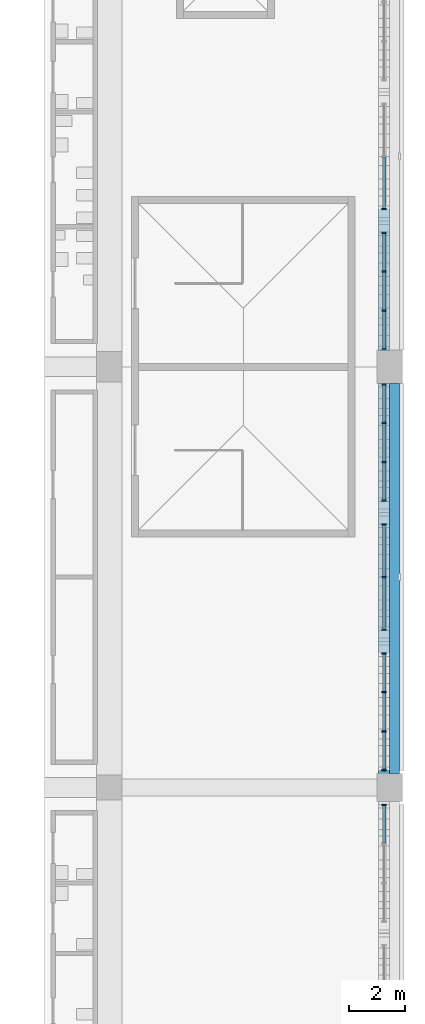
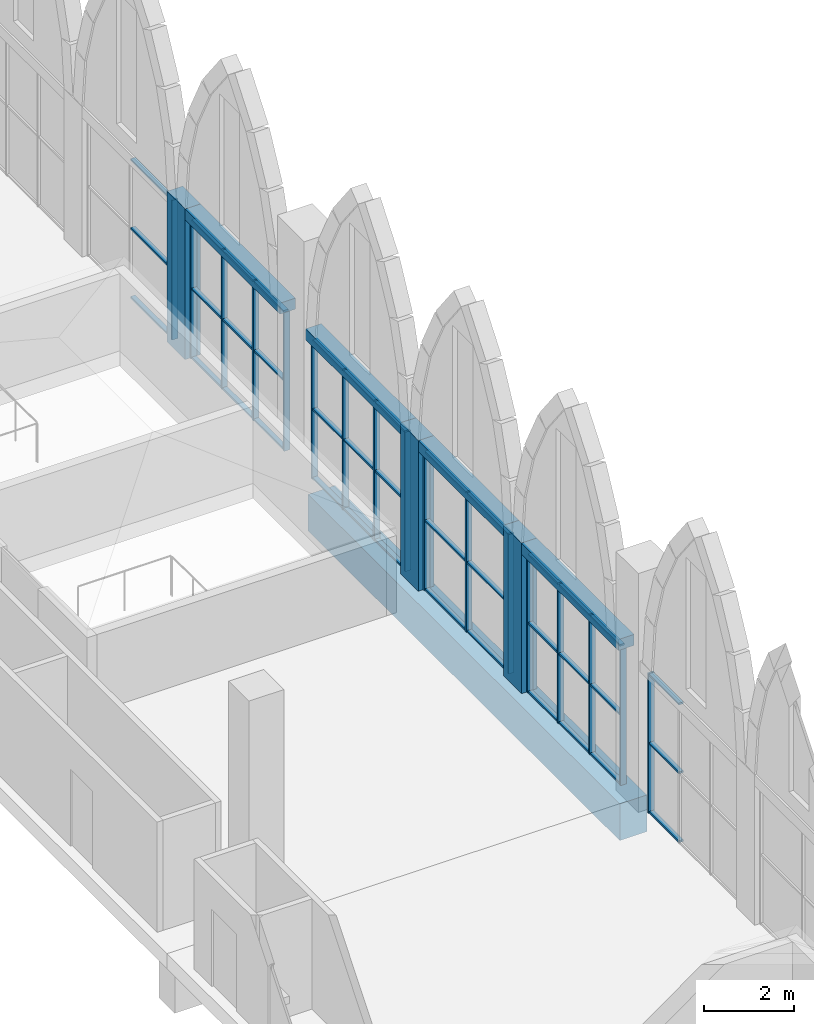
# One storey, part 24 of 130: 59 members, 5 beams, 6 elements without a shape of their own.
"""IFC4 building model written with IfcOpenShell, lengths in metres."""

from ifc_helpers import new_model, si_unit, direction, frame, origin, origin_2d, place, context, subcontext, project, spatial, rectangle, extrude, material, material_profile, profile_set, type_object, element, aggregate, save


model = new_model("IFC4")

# Units and contexts
model_context = context("Model", 3, precision=1e-05, world=origin(), true_north=direction((0.0, 1.0)))
body_context = subcontext(model_context, "Body", "Model", "MODEL_VIEW")
ifc_project = project(units=[si_unit("LENGTHUNIT", "METRE"), si_unit("AREAUNIT", "SQUARE_METRE"), si_unit("VOLUMEUNIT", "CUBIC_METRE"), si_unit("PLANEANGLEUNIT", "RADIAN"), si_unit("MASSUNIT", "GRAM", prefix="KILO")], contexts=[model_context])

# Site, building, storey
site_placement = place(None, origin())
site = spatial("IfcSite", under=ifc_project, at=site_placement, CompositionType="ELEMENT")
building_placement = place(site_placement, origin())
building = spatial("IfcBuilding", under=site, at=building_placement, Name="Ogive Plaza Stadium", CompositionType="ELEMENT")
storey_placement = place(building_placement, frame((0.0, 0.0, 22.5)))
storey = spatial("IfcBuildingStorey", under=building, at=storey_placement, Name="L05", CompositionType="ELEMENT", Elevation=22.5)

# Curtain wall, member
ifc_material_1 = material(Name="Bronze-anodised aluminium with laminated glass", Category="aluminium")
curtain_wall_type = type_object("IfcCurtainWallType", Name="Lancet curtain wall", PredefinedType="NOTDEFINED", material=ifc_material_1)
curtain_wall_1_placement = place(storey_placement, origin())
curtain_wall_1 = element("IfcCurtainWall", 1, at=curtain_wall_1_placement, inside=storey, type_object=curtain_wall_type, Name="CURTAIN WALL B05 L05", PredefinedType="NOTDEFINED")
ifc_material_2 = material(Name="Bronze-anodised aluminium", Category="aluminium")
ifc_material_profile_1 = material_profile(ifc_material_2, rectangle(XDim=0.14990234375, YDim=0.050048828125, at=origin_2d()), Name="AL 150x50")
ifc_profile_set_1 = profile_set([ifc_material_profile_1], Name="Bronze-anodised aluminium")
member_type_1 = type_object("IfcMemberType", Name="Curtain wall mullion 50x150", PredefinedType="MULLION", material=ifc_profile_set_1)
member_1_placement = place(storey_placement, frame((83.800048828125, -16.875, 0.0), z_axis=(0.0, 0.0, 1.0), x_axis=(1.0, 0.0, 0.0)))
member_1 = element("IfcMember", 2, at=member_1_placement, type_object=member_type_1, Name="CW-B05-L05.2 mullion 3", PredefinedType="MULLION", context=body_context, shape_type="SweptSolid", body=[
    extrude(rectangle(XDim=0.14990234375, YDim=0.050048828125, at=origin_2d()), origin(), (0.0, 0.0, 1.0), 3.800048828125),
])

# Curtain wall, members
curtain_wall_2_placement = place(storey_placement, origin())
curtain_wall_2 = element("IfcCurtainWall", 3, at=curtain_wall_2_placement, inside=storey, type_object=curtain_wall_type, Name="CURTAIN WALL B05 L05", PredefinedType="NOTDEFINED")
member_2_placement = place(storey_placement, frame((83.800048828125, -17.72509765625, 0.0), z_axis=(0.0, 0.0, 1.0), x_axis=(1.0, 0.0, 0.0)))
member_2 = element("IfcMember", 4, at=member_2_placement, type_object=member_type_1, Name="CW-B05-L05.3 mullion 1", PredefinedType="MULLION", context=body_context, shape_type="SweptSolid", body=[
    extrude(rectangle(XDim=0.14990234375, YDim=0.050048828125, at=origin_2d()), origin(), (0.0, 0.0, 1.0), 3.800048828125),
])
member_3_placement = place(storey_placement, frame((83.800048828125, -19.10009765625, 0.0), z_axis=(0.0, 0.0, 1.0), x_axis=(1.0, 0.0, 0.0)))
member_3 = element("IfcMember", 5, at=member_3_placement, type_object=member_type_1, Name="CW-B05-L05.3 mullion 2", PredefinedType="MULLION", context=body_context, shape_type="SweptSolid", body=[
    extrude(rectangle(XDim=0.14990234375, YDim=0.050048828125, at=origin_2d()), origin(), (0.0, 0.0, 1.0), 3.800048828125),
])
member_4_placement = place(storey_placement, frame((83.800048828125, -20.5, 0.0), z_axis=(0.0, 0.0, 1.0), x_axis=(1.0, 0.0, 0.0)))
member_4 = element("IfcMember", 6, at=member_4_placement, type_object=member_type_1, Name="CW-B05-L05.3 mullion 3", PredefinedType="MULLION", context=body_context, shape_type="SweptSolid", body=[
    extrude(rectangle(XDim=0.14990234375, YDim=0.050048828125, at=origin_2d()), origin(), (0.0, 0.0, 1.0), 3.800048828125),
])
member_5_placement = place(storey_placement, frame((83.800048828125, -21.875, 0.0), z_axis=(0.0, 0.0, 1.0), x_axis=(1.0, 0.0, 0.0)))
member_5 = element("IfcMember", 7, at=member_5_placement, type_object=member_type_1, Name="CW-B05-L05.3 mullion 4", PredefinedType="MULLION", context=body_context, shape_type="SweptSolid", body=[
    extrude(rectangle(XDim=0.14990234375, YDim=0.050048828125, at=origin_2d()), origin(), (0.0, 0.0, 1.0), 3.800048828125),
])

curtain_wall_3_placement = place(storey_placement, origin())
curtain_wall_3 = element("IfcCurtainWall", 8, at=curtain_wall_3_placement, inside=storey, type_object=curtain_wall_type, Name="CURTAIN WALL B06 L05", PredefinedType="NOTDEFINED")
member_6_placement = place(storey_placement, frame((83.800048828125, -23.125, 0.0), z_axis=(0.0, 0.0, 1.0), x_axis=(1.0, 0.0, 0.0)))
member_6 = element("IfcMember", 9, at=member_6_placement, type_object=member_type_1, Name="CW-B06-L05.1 mullion 1", PredefinedType="MULLION", context=body_context, shape_type="SweptSolid", body=[
    extrude(rectangle(XDim=0.14990234375, YDim=0.050048828125, at=origin_2d()), origin(), (0.0, 0.0, 1.0), 3.800048828125),
])
member_7_placement = place(storey_placement, frame((83.800048828125, -24.5, 0.0), z_axis=(0.0, 0.0, 1.0), x_axis=(1.0, 0.0, 0.0)))
member_7 = element("IfcMember", 10, at=member_7_placement, type_object=member_type_1, Name="CW-B06-L05.1 mullion 2", PredefinedType="MULLION", context=body_context, shape_type="SweptSolid", body=[
    extrude(rectangle(XDim=0.14990234375, YDim=0.050048828125, at=origin_2d()), origin(), (0.0, 0.0, 1.0), 3.800048828125),
])
member_8_placement = place(storey_placement, frame((83.800048828125, -25.89990234375, 0.0), z_axis=(0.0, 0.0, 1.0), x_axis=(1.0, 0.0, 0.0)))
member_8 = element("IfcMember", 11, at=member_8_placement, type_object=member_type_1, Name="CW-B06-L05.1 mullion 3", PredefinedType="MULLION", context=body_context, shape_type="SweptSolid", body=[
    extrude(rectangle(XDim=0.14990234375, YDim=0.050048828125, at=origin_2d()), origin(), (0.0, 0.0, 1.0), 3.800048828125),
])
member_9_placement = place(storey_placement, frame((83.800048828125, -27.27490234375, 0.0), z_axis=(0.0, 0.0, 1.0), x_axis=(1.0, 0.0, 0.0)))
member_9 = element("IfcMember", 12, at=member_9_placement, type_object=member_type_1, Name="CW-B06-L05.1 mullion 4", PredefinedType="MULLION", context=body_context, shape_type="SweptSolid", body=[
    extrude(rectangle(XDim=0.14990234375, YDim=0.050048828125, at=origin_2d()), origin(), (0.0, 0.0, 1.0), 3.800048828125),
])

curtain_wall_4_placement = place(storey_placement, origin())
curtain_wall_4 = element("IfcCurtainWall", 13, at=curtain_wall_4_placement, inside=storey, type_object=curtain_wall_type, Name="CURTAIN WALL B06 L05", PredefinedType="NOTDEFINED")
member_10_placement = place(storey_placement, frame((83.800048828125, -28.125, 0.0), z_axis=(0.0, 0.0, 1.0), x_axis=(1.0, 0.0, 0.0)))
member_10 = element("IfcMember", 14, at=member_10_placement, type_object=member_type_1, Name="CW-B06-L05.2 mullion 1", PredefinedType="MULLION", context=body_context, shape_type="SweptSolid", body=[
    extrude(rectangle(XDim=0.14990234375, YDim=0.050048828125, at=origin_2d()), origin(), (0.0, 0.0, 1.0), 3.800048828125),
])
member_11_placement = place(storey_placement, frame((83.800048828125, -30.0, 0.0), z_axis=(0.0, 0.0, 1.0), x_axis=(1.0, 0.0, 0.0)))
member_11 = element("IfcMember", 15, at=member_11_placement, type_object=member_type_1, Name="CW-B06-L05.2 mullion 2", PredefinedType="MULLION", context=body_context, shape_type="SweptSolid", body=[
    extrude(rectangle(XDim=0.14990234375, YDim=0.050048828125, at=origin_2d()), origin(), (0.0, 0.0, 1.0), 3.800048828125),
])
member_12_placement = place(storey_placement, frame((83.800048828125, -31.875, 0.0), z_axis=(0.0, 0.0, 1.0), x_axis=(1.0, 0.0, 0.0)))
member_12 = element("IfcMember", 16, at=member_12_placement, type_object=member_type_1, Name="CW-B06-L05.2 mullion 3", PredefinedType="MULLION", context=body_context, shape_type="SweptSolid", body=[
    extrude(rectangle(XDim=0.14990234375, YDim=0.050048828125, at=origin_2d()), origin(), (0.0, 0.0, 1.0), 3.800048828125),
])

curtain_wall_5_placement = place(storey_placement, origin())
curtain_wall_5 = element("IfcCurtainWall", 17, at=curtain_wall_5_placement, inside=storey, type_object=curtain_wall_type, Name="CURTAIN WALL B06 L05", PredefinedType="NOTDEFINED")
member_13_placement = place(storey_placement, frame((83.800048828125, -32.72509765625, 0.0), z_axis=(0.0, 0.0, 1.0), x_axis=(1.0, 0.0, 0.0)))
member_13 = element("IfcMember", 18, at=member_13_placement, type_object=member_type_1, Name="CW-B06-L05.3 mullion 1", PredefinedType="MULLION", context=body_context, shape_type="SweptSolid", body=[
    extrude(rectangle(XDim=0.14990234375, YDim=0.050048828125, at=origin_2d()), origin(), (0.0, 0.0, 1.0), 3.800048828125),
])
member_14_placement = place(storey_placement, frame((83.800048828125, -34.10009765625, 0.0), z_axis=(0.0, 0.0, 1.0), x_axis=(1.0, 0.0, 0.0)))
member_14 = element("IfcMember", 19, at=member_14_placement, type_object=member_type_1, Name="CW-B06-L05.3 mullion 2", PredefinedType="MULLION", context=body_context, shape_type="SweptSolid", body=[
    extrude(rectangle(XDim=0.14990234375, YDim=0.050048828125, at=origin_2d()), origin(), (0.0, 0.0, 1.0), 3.800048828125),
])
member_15_placement = place(storey_placement, frame((83.800048828125, -35.5, 0.0), z_axis=(0.0, 0.0, 1.0), x_axis=(1.0, 0.0, 0.0)))
member_15 = element("IfcMember", 20, at=member_15_placement, type_object=member_type_1, Name="CW-B06-L05.3 mullion 3", PredefinedType="MULLION", context=body_context, shape_type="SweptSolid", body=[
    extrude(rectangle(XDim=0.14990234375, YDim=0.050048828125, at=origin_2d()), origin(), (0.0, 0.0, 1.0), 3.800048828125),
])
member_16_placement = place(storey_placement, frame((83.800048828125, -36.875, 0.0), z_axis=(0.0, 0.0, 1.0), x_axis=(1.0, 0.0, 0.0)))
member_16 = element("IfcMember", 21, at=member_16_placement, type_object=member_type_1, Name="CW-B06-L05.3 mullion 4", PredefinedType="MULLION", context=body_context, shape_type="SweptSolid", body=[
    extrude(rectangle(XDim=0.14990234375, YDim=0.050048828125, at=origin_2d()), origin(), (0.0, 0.0, 1.0), 3.800048828125),
])

# Curtain wall, member
curtain_wall_6_placement = place(storey_placement, origin())
curtain_wall_6 = element("IfcCurtainWall", 22, at=curtain_wall_6_placement, inside=storey, type_object=curtain_wall_type, Name="CURTAIN WALL B07 L05", PredefinedType="NOTDEFINED")
member_17_placement = place(storey_placement, frame((83.800048828125, -38.125, 0.0), z_axis=(0.0, 0.0, 1.0), x_axis=(1.0, 0.0, 0.0)))
member_17 = element("IfcMember", 23, at=member_17_placement, type_object=member_type_1, Name="CW-B07-L05.1 mullion 1", PredefinedType="MULLION", context=body_context, shape_type="SweptSolid", body=[
    extrude(rectangle(XDim=0.14990234375, YDim=0.050048828125, at=origin_2d()), origin(), (0.0, 0.0, 1.0), 3.800048828125),
])

# Member
ifc_material_3 = material(Name="Bronze-anodised aluminium", Category="aluminium")
ifc_material_profile_2 = material_profile(ifc_material_3, rectangle(XDim=0.1201171875, YDim=0.050048828125, at=origin_2d()), Name="AL 120x50")
ifc_profile_set_2 = profile_set([ifc_material_profile_2], Name="Bronze-anodised aluminium")
member_type_2 = type_object("IfcMemberType", Name="Curtain wall transom 50x120", PredefinedType="USERDEFINED", material=ifc_profile_set_2)
member_18_placement = place(storey_placement, frame((83.800048828125, -15.02490234375, 0.02490234375), z_axis=(0.0, -1.0, 0.0), x_axis=(1.0, 0.0, 0.0)))
member_18 = element("IfcMember", 24, at=member_18_placement, type_object=member_type_2, Name="CW-B05-L05.2 transom 2.1", ObjectType="TRANSOM", PredefinedType="USERDEFINED", context=body_context, shape_type="SweptSolid", body=[
    extrude(rectangle(XDim=0.1201171875, YDim=0.050048828125, at=origin_2d()), origin(), (0.0, 0.0, 1.0), 1.8251953125),
])

member_19_placement = place(storey_placement, frame((83.800048828125, -15.02490234375, 1.89990234375), z_axis=(0.0, -1.0, 0.0), x_axis=(1.0, 0.0, 0.0)))
member_19 = element("IfcMember", 25, at=member_19_placement, type_object=member_type_2, Name="CW-B05-L05.2 transom 2.2", ObjectType="TRANSOM", PredefinedType="USERDEFINED", context=body_context, shape_type="SweptSolid", body=[
    extrude(rectangle(XDim=0.1201171875, YDim=0.050048828125, at=origin_2d()), origin(), (0.0, 0.0, 1.0), 1.8251953125),
])

member_20_placement = place(storey_placement, frame((83.800048828125, -15.02490234375, 3.77490234375), z_axis=(0.0, -1.0, 0.0), x_axis=(1.0, 0.0, 0.0)))
member_20 = element("IfcMember", 26, at=member_20_placement, type_object=member_type_2, Name="CW-B05-L05.2 transom 2.3", ObjectType="TRANSOM", PredefinedType="USERDEFINED", context=body_context, shape_type="SweptSolid", body=[
    extrude(rectangle(XDim=0.1201171875, YDim=0.050048828125, at=origin_2d()), origin(), (0.0, 0.0, 1.0), 1.8251953125),
])

aggregate(curtain_wall_1, [member_1, member_18, member_19, member_20])

member_21_placement = place(storey_placement, frame((83.800048828125, -17.75, 0.02490234375), z_axis=(0.0, -1.0, 0.0), x_axis=(1.0, 0.0, 0.0)))
member_21 = element("IfcMember", 27, at=member_21_placement, type_object=member_type_2, Name="CW-B05-L05.3 transom 1.1", ObjectType="TRANSOM", PredefinedType="USERDEFINED", context=body_context, shape_type="SweptSolid", body=[
    extrude(rectangle(XDim=0.1201171875, YDim=0.050048828125, at=origin_2d()), origin(), (0.0, 0.0, 1.0), 1.324951171875),
])

member_22_placement = place(storey_placement, frame((83.800048828125, -17.75, 1.89990234375), z_axis=(0.0, -1.0, 0.0), x_axis=(1.0, 0.0, 0.0)))
member_22 = element("IfcMember", 28, at=member_22_placement, type_object=member_type_2, Name="CW-B05-L05.3 transom 1.2", ObjectType="TRANSOM", PredefinedType="USERDEFINED", context=body_context, shape_type="SweptSolid", body=[
    extrude(rectangle(XDim=0.1201171875, YDim=0.050048828125, at=origin_2d()), origin(), (0.0, 0.0, 1.0), 1.324951171875),
])

member_23_placement = place(storey_placement, frame((83.800048828125, -17.75, 3.77490234375), z_axis=(0.0, -1.0, 0.0), x_axis=(1.0, 0.0, 0.0)))
member_23 = element("IfcMember", 29, at=member_23_placement, type_object=member_type_2, Name="CW-B05-L05.3 transom 1.3", ObjectType="TRANSOM", PredefinedType="USERDEFINED", context=body_context, shape_type="SweptSolid", body=[
    extrude(rectangle(XDim=0.1201171875, YDim=0.050048828125, at=origin_2d()), origin(), (0.0, 0.0, 1.0), 1.324951171875),
])

member_24_placement = place(storey_placement, frame((83.800048828125, -19.125, 0.02490234375), z_axis=(0.0, -1.0, 0.0), x_axis=(1.0, 0.0, 0.0)))
member_24 = element("IfcMember", 30, at=member_24_placement, type_object=member_type_2, Name="CW-B05-L05.3 transom 2.1", ObjectType="TRANSOM", PredefinedType="USERDEFINED", context=body_context, shape_type="SweptSolid", body=[
    extrude(rectangle(XDim=0.1201171875, YDim=0.050048828125, at=origin_2d()), origin(), (0.0, 0.0, 1.0), 1.35009765625),
])

member_25_placement = place(storey_placement, frame((83.800048828125, -19.125, 1.89990234375), z_axis=(0.0, -1.0, 0.0), x_axis=(1.0, 0.0, 0.0)))
member_25 = element("IfcMember", 31, at=member_25_placement, type_object=member_type_2, Name="CW-B05-L05.3 transom 2.2", ObjectType="TRANSOM", PredefinedType="USERDEFINED", context=body_context, shape_type="SweptSolid", body=[
    extrude(rectangle(XDim=0.1201171875, YDim=0.050048828125, at=origin_2d()), origin(), (0.0, 0.0, 1.0), 1.35009765625),
])

member_26_placement = place(storey_placement, frame((83.800048828125, -19.125, 3.77490234375), z_axis=(0.0, -1.0, 0.0), x_axis=(1.0, 0.0, 0.0)))
member_26 = element("IfcMember", 32, at=member_26_placement, type_object=member_type_2, Name="CW-B05-L05.3 transom 2.3", ObjectType="TRANSOM", PredefinedType="USERDEFINED", context=body_context, shape_type="SweptSolid", body=[
    extrude(rectangle(XDim=0.1201171875, YDim=0.050048828125, at=origin_2d()), origin(), (0.0, 0.0, 1.0), 1.35009765625),
])

member_27_placement = place(storey_placement, frame((83.800048828125, -20.52490234375, 0.02490234375), z_axis=(0.0, -1.0, 0.0), x_axis=(1.0, 0.0, 0.0)))
member_27 = element("IfcMember", 33, at=member_27_placement, type_object=member_type_2, Name="CW-B05-L05.3 transom 3.1", ObjectType="TRANSOM", PredefinedType="USERDEFINED", context=body_context, shape_type="SweptSolid", body=[
    extrude(rectangle(XDim=0.1201171875, YDim=0.050048828125, at=origin_2d()), origin(), (0.0, 0.0, 1.0), 1.3251953125),
])

member_28_placement = place(storey_placement, frame((83.800048828125, -20.52490234375, 1.89990234375), z_axis=(0.0, -1.0, 0.0), x_axis=(1.0, 0.0, 0.0)))
member_28 = element("IfcMember", 34, at=member_28_placement, type_object=member_type_2, Name="CW-B05-L05.3 transom 3.2", ObjectType="TRANSOM", PredefinedType="USERDEFINED", context=body_context, shape_type="SweptSolid", body=[
    extrude(rectangle(XDim=0.1201171875, YDim=0.050048828125, at=origin_2d()), origin(), (0.0, 0.0, 1.0), 1.3251953125),
])

member_29_placement = place(storey_placement, frame((83.800048828125, -20.52490234375, 3.77490234375), z_axis=(0.0, -1.0, 0.0), x_axis=(1.0, 0.0, 0.0)))
member_29 = element("IfcMember", 35, at=member_29_placement, type_object=member_type_2, Name="CW-B05-L05.3 transom 3.3", ObjectType="TRANSOM", PredefinedType="USERDEFINED", context=body_context, shape_type="SweptSolid", body=[
    extrude(rectangle(XDim=0.1201171875, YDim=0.050048828125, at=origin_2d()), origin(), (0.0, 0.0, 1.0), 1.3251953125),
])

aggregate(curtain_wall_2, [member_2, member_3, member_4, member_5, member_21, member_22, member_23, member_24, member_25, member_26, member_27, member_28, member_29])

member_30_placement = place(storey_placement, frame((83.800048828125, -23.14990234375, 0.02490234375), z_axis=(0.0, -1.0, 0.0), x_axis=(1.0, 0.0, 0.0)))
member_30 = element("IfcMember", 36, at=member_30_placement, type_object=member_type_2, Name="CW-B06-L05.1 transom 1.1", ObjectType="TRANSOM", PredefinedType="USERDEFINED", context=body_context, shape_type="SweptSolid", body=[
    extrude(rectangle(XDim=0.1201171875, YDim=0.050048828125, at=origin_2d()), origin(), (0.0, 0.0, 1.0), 1.3251953125),
])

member_31_placement = place(storey_placement, frame((83.800048828125, -23.14990234375, 1.89990234375), z_axis=(0.0, -1.0, 0.0), x_axis=(1.0, 0.0, 0.0)))
member_31 = element("IfcMember", 37, at=member_31_placement, type_object=member_type_2, Name="CW-B06-L05.1 transom 1.2", ObjectType="TRANSOM", PredefinedType="USERDEFINED", context=body_context, shape_type="SweptSolid", body=[
    extrude(rectangle(XDim=0.1201171875, YDim=0.050048828125, at=origin_2d()), origin(), (0.0, 0.0, 1.0), 1.3251953125),
])

member_32_placement = place(storey_placement, frame((83.800048828125, -23.14990234375, 3.77490234375), z_axis=(0.0, -1.0, 0.0), x_axis=(1.0, 0.0, 0.0)))
member_32 = element("IfcMember", 38, at=member_32_placement, type_object=member_type_2, Name="CW-B06-L05.1 transom 1.3", ObjectType="TRANSOM", PredefinedType="USERDEFINED", context=body_context, shape_type="SweptSolid", body=[
    extrude(rectangle(XDim=0.1201171875, YDim=0.050048828125, at=origin_2d()), origin(), (0.0, 0.0, 1.0), 1.3251953125),
])

member_33_placement = place(storey_placement, frame((83.800048828125, -24.52490234375, 0.02490234375), z_axis=(0.0, -1.0, 0.0), x_axis=(1.0, 0.0, 0.0)))
member_33 = element("IfcMember", 39, at=member_33_placement, type_object=member_type_2, Name="CW-B06-L05.1 transom 2.1", ObjectType="TRANSOM", PredefinedType="USERDEFINED", context=body_context, shape_type="SweptSolid", body=[
    extrude(rectangle(XDim=0.1201171875, YDim=0.050048828125, at=origin_2d()), origin(), (0.0, 0.0, 1.0), 1.35009765625),
])

member_34_placement = place(storey_placement, frame((83.800048828125, -24.52490234375, 1.89990234375), z_axis=(0.0, -1.0, 0.0), x_axis=(1.0, 0.0, 0.0)))
member_34 = element("IfcMember", 40, at=member_34_placement, type_object=member_type_2, Name="CW-B06-L05.1 transom 2.2", ObjectType="TRANSOM", PredefinedType="USERDEFINED", context=body_context, shape_type="SweptSolid", body=[
    extrude(rectangle(XDim=0.1201171875, YDim=0.050048828125, at=origin_2d()), origin(), (0.0, 0.0, 1.0), 1.35009765625),
])

member_35_placement = place(storey_placement, frame((83.800048828125, -24.52490234375, 3.77490234375), z_axis=(0.0, -1.0, 0.0), x_axis=(1.0, 0.0, 0.0)))
member_35 = element("IfcMember", 41, at=member_35_placement, type_object=member_type_2, Name="CW-B06-L05.1 transom 2.3", ObjectType="TRANSOM", PredefinedType="USERDEFINED", context=body_context, shape_type="SweptSolid", body=[
    extrude(rectangle(XDim=0.1201171875, YDim=0.050048828125, at=origin_2d()), origin(), (0.0, 0.0, 1.0), 1.35009765625),
])

member_36_placement = place(storey_placement, frame((83.800048828125, -25.925048828125, 0.02490234375), z_axis=(0.0, -1.0, 0.0), x_axis=(1.0, 0.0, 0.0)))
member_36 = element("IfcMember", 42, at=member_36_placement, type_object=member_type_2, Name="CW-B06-L05.1 transom 3.1", ObjectType="TRANSOM", PredefinedType="USERDEFINED", context=body_context, shape_type="SweptSolid", body=[
    extrude(rectangle(XDim=0.1201171875, YDim=0.050048828125, at=origin_2d()), origin(), (0.0, 0.0, 1.0), 1.324951171875),
])

member_37_placement = place(storey_placement, frame((83.800048828125, -25.925048828125, 1.89990234375), z_axis=(0.0, -1.0, 0.0), x_axis=(1.0, 0.0, 0.0)))
member_37 = element("IfcMember", 43, at=member_37_placement, type_object=member_type_2, Name="CW-B06-L05.1 transom 3.2", ObjectType="TRANSOM", PredefinedType="USERDEFINED", context=body_context, shape_type="SweptSolid", body=[
    extrude(rectangle(XDim=0.1201171875, YDim=0.050048828125, at=origin_2d()), origin(), (0.0, 0.0, 1.0), 1.324951171875),
])

member_38_placement = place(storey_placement, frame((83.800048828125, -25.925048828125, 3.77490234375), z_axis=(0.0, -1.0, 0.0), x_axis=(1.0, 0.0, 0.0)))
member_38 = element("IfcMember", 44, at=member_38_placement, type_object=member_type_2, Name="CW-B06-L05.1 transom 3.3", ObjectType="TRANSOM", PredefinedType="USERDEFINED", context=body_context, shape_type="SweptSolid", body=[
    extrude(rectangle(XDim=0.1201171875, YDim=0.050048828125, at=origin_2d()), origin(), (0.0, 0.0, 1.0), 1.324951171875),
])

aggregate(curtain_wall_3, [member_6, member_7, member_8, member_9, member_30, member_31, member_32, member_33, member_34, member_35, member_36, member_37, member_38])

member_39_placement = place(storey_placement, frame((83.800048828125, -28.14990234375, 0.02490234375), z_axis=(0.0, -1.0, 0.0), x_axis=(1.0, 0.0, 0.0)))
member_39 = element("IfcMember", 45, at=member_39_placement, type_object=member_type_2, Name="CW-B06-L05.2 transom 1.1", ObjectType="TRANSOM", PredefinedType="USERDEFINED", context=body_context, shape_type="SweptSolid", body=[
    extrude(rectangle(XDim=0.1201171875, YDim=0.050048828125, at=origin_2d()), origin(), (0.0, 0.0, 1.0), 1.8251953125),
])

member_40_placement = place(storey_placement, frame((83.800048828125, -28.14990234375, 1.89990234375), z_axis=(0.0, -1.0, 0.0), x_axis=(1.0, 0.0, 0.0)))
member_40 = element("IfcMember", 46, at=member_40_placement, type_object=member_type_2, Name="CW-B06-L05.2 transom 1.2", ObjectType="TRANSOM", PredefinedType="USERDEFINED", context=body_context, shape_type="SweptSolid", body=[
    extrude(rectangle(XDim=0.1201171875, YDim=0.050048828125, at=origin_2d()), origin(), (0.0, 0.0, 1.0), 1.8251953125),
])

member_41_placement = place(storey_placement, frame((83.800048828125, -28.14990234375, 3.77490234375), z_axis=(0.0, -1.0, 0.0), x_axis=(1.0, 0.0, 0.0)))
member_41 = element("IfcMember", 47, at=member_41_placement, type_object=member_type_2, Name="CW-B06-L05.2 transom 1.3", ObjectType="TRANSOM", PredefinedType="USERDEFINED", context=body_context, shape_type="SweptSolid", body=[
    extrude(rectangle(XDim=0.1201171875, YDim=0.050048828125, at=origin_2d()), origin(), (0.0, 0.0, 1.0), 1.8251953125),
])

member_42_placement = place(storey_placement, frame((83.800048828125, -30.02490234375, 0.02490234375), z_axis=(0.0, -1.0, 0.0), x_axis=(1.0, 0.0, 0.0)))
member_42 = element("IfcMember", 48, at=member_42_placement, type_object=member_type_2, Name="CW-B06-L05.2 transom 2.1", ObjectType="TRANSOM", PredefinedType="USERDEFINED", context=body_context, shape_type="SweptSolid", body=[
    extrude(rectangle(XDim=0.1201171875, YDim=0.050048828125, at=origin_2d()), origin(), (0.0, 0.0, 1.0), 1.8251953125),
])

member_43_placement = place(storey_placement, frame((83.800048828125, -30.02490234375, 1.89990234375), z_axis=(0.0, -1.0, 0.0), x_axis=(1.0, 0.0, 0.0)))
member_43 = element("IfcMember", 49, at=member_43_placement, type_object=member_type_2, Name="CW-B06-L05.2 transom 2.2", ObjectType="TRANSOM", PredefinedType="USERDEFINED", context=body_context, shape_type="SweptSolid", body=[
    extrude(rectangle(XDim=0.1201171875, YDim=0.050048828125, at=origin_2d()), origin(), (0.0, 0.0, 1.0), 1.8251953125),
])

member_44_placement = place(storey_placement, frame((83.800048828125, -30.02490234375, 3.77490234375), z_axis=(0.0, -1.0, 0.0), x_axis=(1.0, 0.0, 0.0)))
member_44 = element("IfcMember", 50, at=member_44_placement, type_object=member_type_2, Name="CW-B06-L05.2 transom 2.3", ObjectType="TRANSOM", PredefinedType="USERDEFINED", context=body_context, shape_type="SweptSolid", body=[
    extrude(rectangle(XDim=0.1201171875, YDim=0.050048828125, at=origin_2d()), origin(), (0.0, 0.0, 1.0), 1.8251953125),
])

aggregate(curtain_wall_4, [member_10, member_11, member_12, member_39, member_40, member_41, member_42, member_43, member_44])

member_45_placement = place(storey_placement, frame((83.800048828125, -32.75, 0.02490234375), z_axis=(0.0, -1.0, 0.0), x_axis=(1.0, 0.0, 0.0)))
member_45 = element("IfcMember", 51, at=member_45_placement, type_object=member_type_2, Name="CW-B06-L05.3 transom 1.1", ObjectType="TRANSOM", PredefinedType="USERDEFINED", context=body_context, shape_type="SweptSolid", body=[
    extrude(rectangle(XDim=0.1201171875, YDim=0.050048828125, at=origin_2d()), origin(), (0.0, 0.0, 1.0), 1.324951171875),
])

member_46_placement = place(storey_placement, frame((83.800048828125, -32.75, 1.89990234375), z_axis=(0.0, -1.0, 0.0), x_axis=(1.0, 0.0, 0.0)))
member_46 = element("IfcMember", 52, at=member_46_placement, type_object=member_type_2, Name="CW-B06-L05.3 transom 1.2", ObjectType="TRANSOM", PredefinedType="USERDEFINED", context=body_context, shape_type="SweptSolid", body=[
    extrude(rectangle(XDim=0.1201171875, YDim=0.050048828125, at=origin_2d()), origin(), (0.0, 0.0, 1.0), 1.324951171875),
])

member_47_placement = place(storey_placement, frame((83.800048828125, -32.75, 3.77490234375), z_axis=(0.0, -1.0, 0.0), x_axis=(1.0, 0.0, 0.0)))
member_47 = element("IfcMember", 53, at=member_47_placement, type_object=member_type_2, Name="CW-B06-L05.3 transom 1.3", ObjectType="TRANSOM", PredefinedType="USERDEFINED", context=body_context, shape_type="SweptSolid", body=[
    extrude(rectangle(XDim=0.1201171875, YDim=0.050048828125, at=origin_2d()), origin(), (0.0, 0.0, 1.0), 1.324951171875),
])

member_48_placement = place(storey_placement, frame((83.800048828125, -34.125, 0.02490234375), z_axis=(0.0, -1.0, 0.0), x_axis=(1.0, 0.0, 0.0)))
member_48 = element("IfcMember", 54, at=member_48_placement, type_object=member_type_2, Name="CW-B06-L05.3 transom 2.1", ObjectType="TRANSOM", PredefinedType="USERDEFINED", context=body_context, shape_type="SweptSolid", body=[
    extrude(rectangle(XDim=0.1201171875, YDim=0.050048828125, at=origin_2d()), origin(), (0.0, 0.0, 1.0), 1.35009765625),
])

member_49_placement = place(storey_placement, frame((83.800048828125, -34.125, 1.89990234375), z_axis=(0.0, -1.0, 0.0), x_axis=(1.0, 0.0, 0.0)))
member_49 = element("IfcMember", 55, at=member_49_placement, type_object=member_type_2, Name="CW-B06-L05.3 transom 2.2", ObjectType="TRANSOM", PredefinedType="USERDEFINED", context=body_context, shape_type="SweptSolid", body=[
    extrude(rectangle(XDim=0.1201171875, YDim=0.050048828125, at=origin_2d()), origin(), (0.0, 0.0, 1.0), 1.35009765625),
])

member_50_placement = place(storey_placement, frame((83.800048828125, -34.125, 3.77490234375), z_axis=(0.0, -1.0, 0.0), x_axis=(1.0, 0.0, 0.0)))
member_50 = element("IfcMember", 56, at=member_50_placement, type_object=member_type_2, Name="CW-B06-L05.3 transom 2.3", ObjectType="TRANSOM", PredefinedType="USERDEFINED", context=body_context, shape_type="SweptSolid", body=[
    extrude(rectangle(XDim=0.1201171875, YDim=0.050048828125, at=origin_2d()), origin(), (0.0, 0.0, 1.0), 1.35009765625),
])

member_51_placement = place(storey_placement, frame((83.800048828125, -35.52490234375, 0.02490234375), z_axis=(0.0, -1.0, 0.0), x_axis=(1.0, 0.0, 0.0)))
member_51 = element("IfcMember", 57, at=member_51_placement, type_object=member_type_2, Name="CW-B06-L05.3 transom 3.1", ObjectType="TRANSOM", PredefinedType="USERDEFINED", context=body_context, shape_type="SweptSolid", body=[
    extrude(rectangle(XDim=0.1201171875, YDim=0.050048828125, at=origin_2d()), origin(), (0.0, 0.0, 1.0), 1.3251953125),
])

member_52_placement = place(storey_placement, frame((83.800048828125, -35.52490234375, 1.89990234375), z_axis=(0.0, -1.0, 0.0), x_axis=(1.0, 0.0, 0.0)))
member_52 = element("IfcMember", 58, at=member_52_placement, type_object=member_type_2, Name="CW-B06-L05.3 transom 3.2", ObjectType="TRANSOM", PredefinedType="USERDEFINED", context=body_context, shape_type="SweptSolid", body=[
    extrude(rectangle(XDim=0.1201171875, YDim=0.050048828125, at=origin_2d()), origin(), (0.0, 0.0, 1.0), 1.3251953125),
])

member_53_placement = place(storey_placement, frame((83.800048828125, -35.52490234375, 3.77490234375), z_axis=(0.0, -1.0, 0.0), x_axis=(1.0, 0.0, 0.0)))
member_53 = element("IfcMember", 59, at=member_53_placement, type_object=member_type_2, Name="CW-B06-L05.3 transom 3.3", ObjectType="TRANSOM", PredefinedType="USERDEFINED", context=body_context, shape_type="SweptSolid", body=[
    extrude(rectangle(XDim=0.1201171875, YDim=0.050048828125, at=origin_2d()), origin(), (0.0, 0.0, 1.0), 1.3251953125),
])

aggregate(curtain_wall_5, [member_13, member_14, member_15, member_16, member_45, member_46, member_47, member_48, member_49, member_50, member_51, member_52, member_53])

member_54_placement = place(storey_placement, frame((83.800048828125, -38.14990234375, 0.02490234375), z_axis=(0.0, -1.0, 0.0), x_axis=(1.0, 0.0, 0.0)))
member_54 = element("IfcMember", 60, at=member_54_placement, type_object=member_type_2, Name="CW-B07-L05.1 transom 1.1", ObjectType="TRANSOM", PredefinedType="USERDEFINED", context=body_context, shape_type="SweptSolid", body=[
    extrude(rectangle(XDim=0.1201171875, YDim=0.050048828125, at=origin_2d()), origin(), (0.0, 0.0, 1.0), 1.3251953125),
])

member_55_placement = place(storey_placement, frame((83.800048828125, -38.14990234375, 1.89990234375), z_axis=(0.0, -1.0, 0.0), x_axis=(1.0, 0.0, 0.0)))
member_55 = element("IfcMember", 61, at=member_55_placement, type_object=member_type_2, Name="CW-B07-L05.1 transom 1.2", ObjectType="TRANSOM", PredefinedType="USERDEFINED", context=body_context, shape_type="SweptSolid", body=[
    extrude(rectangle(XDim=0.1201171875, YDim=0.050048828125, at=origin_2d()), origin(), (0.0, 0.0, 1.0), 1.3251953125),
])

member_56_placement = place(storey_placement, frame((83.800048828125, -38.14990234375, 3.77490234375), z_axis=(0.0, -1.0, 0.0), x_axis=(1.0, 0.0, 0.0)))
member_56 = element("IfcMember", 62, at=member_56_placement, type_object=member_type_2, Name="CW-B07-L05.1 transom 1.3", ObjectType="TRANSOM", PredefinedType="USERDEFINED", context=body_context, shape_type="SweptSolid", body=[
    extrude(rectangle(XDim=0.1201171875, YDim=0.050048828125, at=origin_2d()), origin(), (0.0, 0.0, 1.0), 1.3251953125),
])

aggregate(curtain_wall_6, [member_17, member_54, member_55, member_56])

# Members
ifc_material_4 = material(Name="Concrete C45/55 precast", Category="concrete")
ifc_material_profile_3 = material_profile(ifc_material_4, rectangle(XDim=0.39990234375, YDim=0.800048828125, at=origin_2d()), Name="RC 400x800")
ifc_profile_set_3 = profile_set([ifc_material_profile_3], Name="Concrete C45/55 precast")
member_type_3 = type_object("IfcMemberType", Name="Precast colonette 800x400", PredefinedType="POST", material=ifc_profile_set_3)
for number, where, z_axis, x_axis, name in (
    (63, (83.800048828125, -17.300048828125, 0.0), (0.0, 0.0, 1.0), (1.0, 0.0, 0.0), "COLONETTE B05 2"),
    (64, (83.800048828125, -27.699951171875, 0.0), (0.0, 0.0, 1.0), (1.0, 0.0, 0.0), "COLONETTE B06 1"),
    (65, (83.800048828125, -32.300048828125, 0.0), (0.0, 0.0, 1.0), (1.0, 0.0, 0.0), "COLONETTE B06 2"),
):
    element("IfcMember", number, at=place(storey_placement, frame(where, z_axis=z_axis, x_axis=x_axis)), inside=storey, type_object=member_type_3, Name=name, PredefinedType="POST", context=body_context, shape_type="SweptSolid", body=[
        extrude(rectangle(XDim=0.39990234375, YDim=0.800048828125, at=origin_2d()), origin(), (0.0, 0.0, 1.0), 4.10009765625),
    ])

# Beams
ifc_material_5 = material(Name="Concrete C45/55 precast", Category="concrete")
ifc_material_profile_4 = material_profile(ifc_material_5, rectangle(XDim=0.39990234375, YDim=0.300048828125, at=origin_2d()), Name="RC 400x300")
ifc_profile_set_4 = profile_set([ifc_material_profile_4], Name="Concrete C45/55 precast")
beam_type_1 = type_object("IfcBeamType", Name="Precast tympanum lintel 400x300", PredefinedType="BEAM", material=ifc_profile_set_4)
for number, where, z_axis, x_axis, name in (
    (66, (83.800048828125, -17.669921875, 3.949951171875), (0.0, -1.0, 0.0), (1.0, 0.0, 0.0), "TYMPANUM LINTEL B05 3"),
    (67, (83.800048828125, -23.070068359375, 3.949951171875), (0.0, -1.0, 0.0), (1.0, 0.0, 0.0), "TYMPANUM LINTEL B06 1"),
):
    element("IfcBeam", number, at=place(storey_placement, frame(where, z_axis=z_axis, x_axis=x_axis)), inside=storey, type_object=beam_type_1, Name=name, PredefinedType="BEAM", context=body_context, shape_type="SweptSolid", body=[
        extrude(rectangle(XDim=0.39990234375, YDim=0.300048828125, at=origin_2d()), origin(), (0.0, 0.0, 1.0), 4.260009765625),
    ])
beam_1_placement = place(storey_placement, frame((83.800048828125, -28.070068359375, 3.949951171875), z_axis=(0.0, -1.0, 0.0), x_axis=(1.0, 0.0, 0.0)))
element("IfcBeam", 68, at=beam_1_placement, inside=storey, type_object=beam_type_1, Name="TYMPANUM LINTEL B06 2", PredefinedType="BEAM", context=body_context, shape_type="SweptSolid", body=[
    extrude(rectangle(XDim=0.39990234375, YDim=0.300048828125, at=origin_2d()), origin(), (0.0, 0.0, 1.0), 3.85986328125),
])
beam_2_placement = place(storey_placement, frame((83.800048828125, -32.669921875, 3.949951171875), z_axis=(0.0, -1.0, 0.0), x_axis=(1.0, 0.0, 0.0)))
element("IfcBeam", 69, at=beam_2_placement, inside=storey, type_object=beam_type_1, Name="TYMPANUM LINTEL B06 3", PredefinedType="BEAM", context=body_context, shape_type="SweptSolid", body=[
    extrude(rectangle(XDim=0.39990234375, YDim=0.300048828125, at=origin_2d()), origin(), (0.0, 0.0, 1.0), 4.360107421875),
])
ifc_material_6 = material(Name="Concrete C40/50", Category="concrete")
ifc_material_profile_5 = material_profile(ifc_material_6, rectangle(XDim=0.699951171875, YDim=1.0, at=origin_2d()), Name="RC 700x1000")
ifc_profile_set_5 = profile_set([ifc_material_profile_5], Name="Concrete C40/50")
beam_type_2 = type_object("IfcBeamType", Name="RC spandrel beam 700x1000", PredefinedType="SPANDREL", material=ifc_profile_set_5)
beam_3_placement = place(storey_placement, frame((84.0, -23.10009765625, -0.909912109375), z_axis=(0.0, -1.0, 0.0), x_axis=(1.0, 0.0, 0.0)))
element("IfcBeam", 70, at=beam_3_placement, inside=storey, type_object=beam_type_2, Name="Ring beam F5 L05 B06", PredefinedType="SPANDREL", context=body_context, shape_type="SweptSolid", body=[
    extrude(rectangle(XDim=0.699951171875, YDim=1.0, at=origin_2d()), origin(), (0.0, 0.0, 1.0), 13.89990234375),
])

save(model, "model.ifc")
